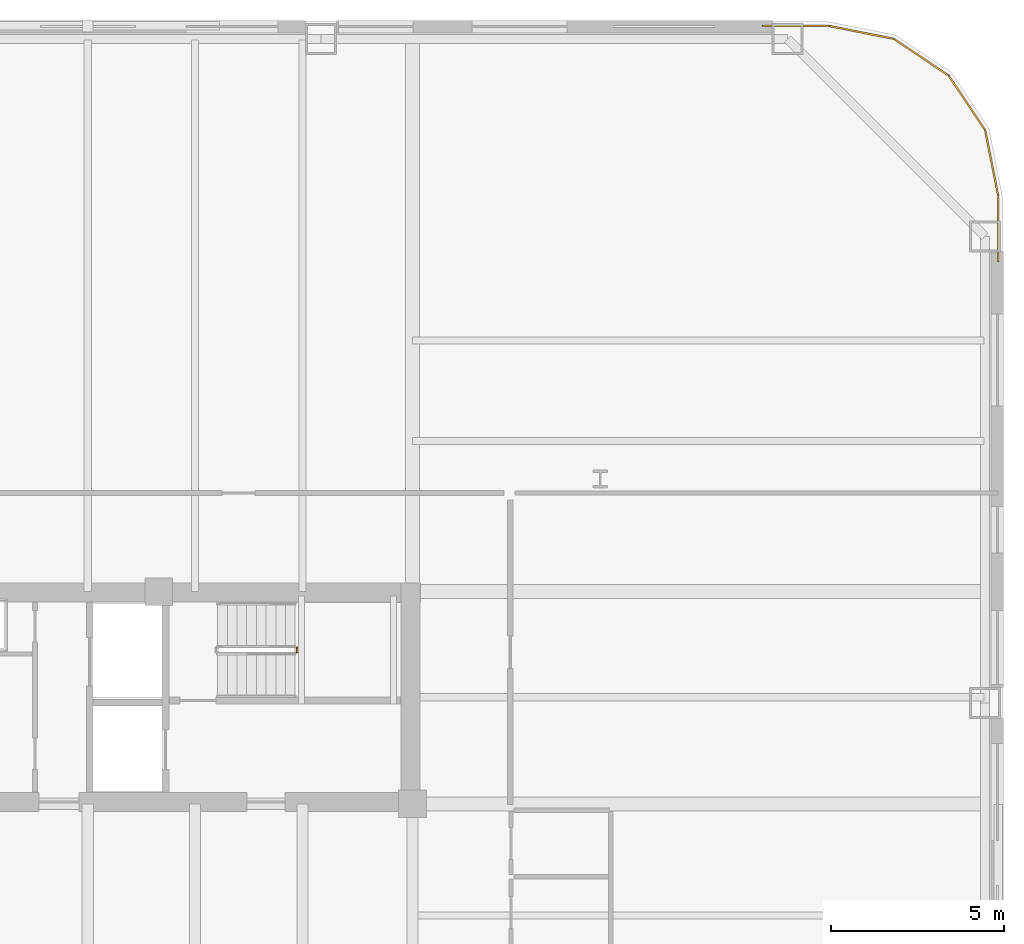
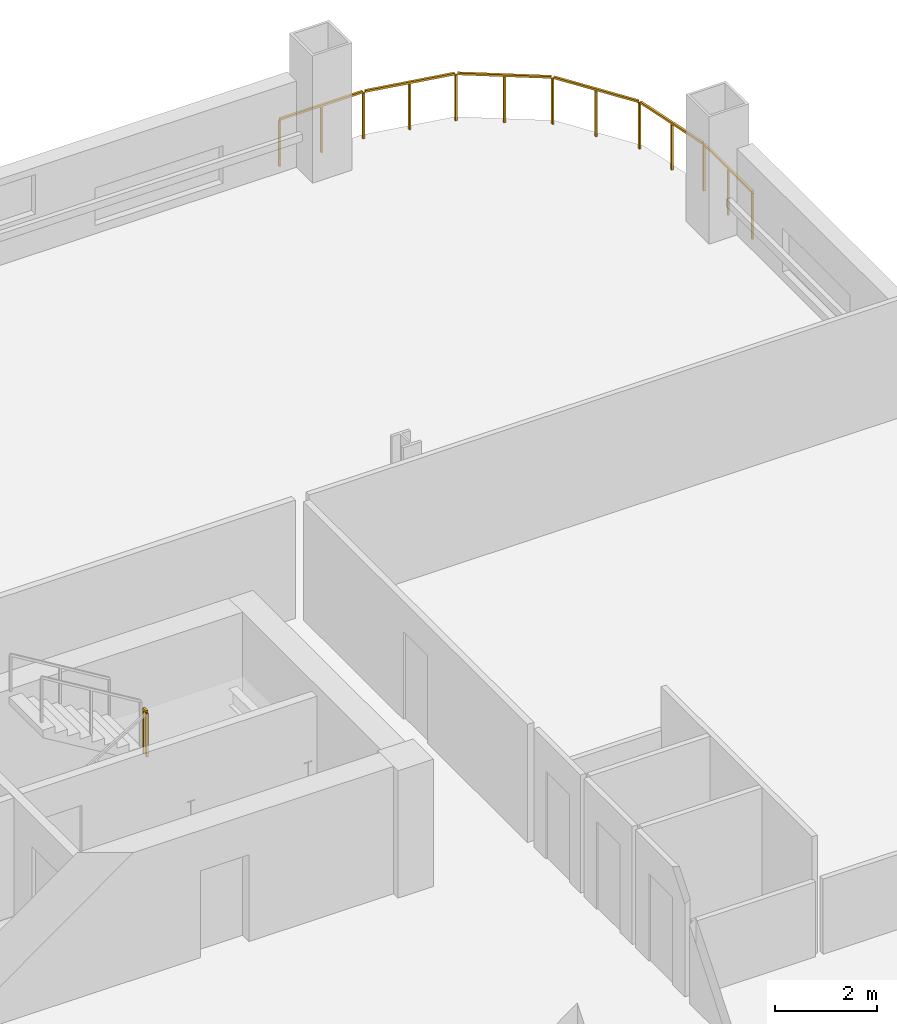
# One storey, part 11 of 11: 2 railings.
"""IFC4 building model written with IfcOpenShell, lengths in metres."""

from ifc_helpers import new_model, si_unit, direction, frame, origin, origin_2d, place, context, subcontext, project, spatial, rectangle, extrude, material, type_object, element, save


model = new_model("IFC4")

# Units and contexts
model_context = context("Model", 3, precision=1e-05, world=origin(), true_north=direction((0.0, 1.0)))
body_context = subcontext(model_context, "Body", "Model", "MODEL_VIEW")
ifc_project = project(units=[si_unit("LENGTHUNIT", "METRE"), si_unit("AREAUNIT", "SQUARE_METRE"), si_unit("VOLUMEUNIT", "CUBIC_METRE"), si_unit("PLANEANGLEUNIT", "RADIAN"), si_unit("MASSUNIT", "GRAM", prefix="KILO")], contexts=[model_context])

# Site, building, storey
site_placement = place(None, origin())
site = spatial("IfcSite", under=ifc_project, at=site_placement, CompositionType="ELEMENT")
building_placement = place(site_placement, origin())
building = spatial("IfcBuilding", under=site, at=building_placement, Name="Qhalaya Broadcast Tower", CompositionType="ELEMENT")
storey_placement = place(building_placement, frame((0.0, 0.0, 29.14990234375)))
storey = spatial("IfcBuildingStorey", under=building, at=storey_placement, Name="L07", CompositionType="ELEMENT", Elevation=29.14990234375)

# Railings
ifc_material = material(Name="Powder-Coated Galvanised Steel", Category="steel")
railing_type_1 = type_object("IfcRailingType", Name="Stair Well & Landing Guardrail 1100", PredefinedType="GUARDRAIL", material=ifc_material)
railing_1_placement = place(storey_placement, frame((6.0400390625, 8.199951171875, 1.525146484375)))
element("IfcRailing", 1, at=railing_1_placement, inside=storey, type_object=railing_type_1, Name="L07 ST-1 Stair Guard 2", PredefinedType="GUARDRAIL", context=body_context, shape_type="SweptSolid", body=[
    extrude(rectangle(XDim=0.048095703125, YDim=0.048095703125, at=origin_2d()), frame((0.0, 0.0, 1.076171875), z_axis=(0.0, 1.0, 0.0), x_axis=(-1.0, 0.0, 0.0)), (0.0, 0.0, 1.0), 0.1201171875),
    extrude(rectangle(XDim=0.0419921875, YDim=0.0419921875, at=origin_2d()), origin(), (0.0, 0.0, 1.0), 1.050048828125),
    extrude(rectangle(XDim=0.0419921875, YDim=0.0419921875, at=origin_2d()), frame((0.0, 0.1201171875, 0.0)), (0.0, 0.0, 1.0), 1.050048828125),
])
railing_type_2 = type_object("IfcRailingType", Name="Terrace, Sky-Pool & Lookout Glass Balustrade 1150", PredefinedType="BALUSTRADE", material=ifc_material)
railing_2_placement = place(storey_placement, frame((19.48193359375, 26.280029296875, 0.0)))
element("IfcRailing", 2, at=railing_2_placement, inside=storey, type_object=railing_type_2, Name="L07 Rounded Corner Perimeter Guard 04", PredefinedType="BALUSTRADE", context=body_context, shape_type="SweptSolid", body=[
    extrude(rectangle(XDim=0.048095703125, YDim=0.048095703125, at=origin_2d()), frame((0.0, 0.0, 1.1259765625), z_axis=(1.0, 0.0, 0.0), x_axis=(0.0, 1.0, 0.0)), (0.0, 0.0, 1.0), 1.87744140625),
    extrude(rectangle(XDim=0.048095703125, YDim=0.048095703125, at=origin_2d()), frame((1.9345703125, -0.005615234375, 1.1259765625), z_axis=(0.980795810058, -0.195037378397, 0.0), x_axis=(0.195037378397, 0.980795810058, 0.0)), (0.0, 0.0, 1.0), 1.857421875),
    extrude(rectangle(XDim=0.048095703125, YDim=0.048095703125, at=origin_2d()), frame((3.80859375, -0.3896484375, 1.1259765625), z_axis=(0.831477548332, -0.555558355728, 0.0), x_axis=(0.555558355728, 0.831477548332, 0.0)), (0.0, 0.0, 1.0), 1.845458984375),
    extrude(rectangle(XDim=0.048095703125, YDim=0.048095703125, at=origin_2d()), frame((5.38330078125, -1.454833984375, 1.1259765625), z_axis=(0.555558355728, -0.831477548332, 0.0), x_axis=(0.831477548332, 0.555558355728, 0.0)), (0.0, 0.0, 1.0), 1.845458984375),
    extrude(rectangle(XDim=0.048095703125, YDim=0.048095703125, at=origin_2d()), frame((6.43017578125, -3.041748046875, 1.1259765625), z_axis=(0.195037378397, -0.980795810058, 0.0), x_axis=(0.980795810058, 0.195037378397, 0.0)), (0.0, 0.0, 1.0), 1.857421875),
    extrude(rectangle(XDim=0.048095703125, YDim=0.048095703125, at=origin_2d()), frame((6.798095703125, -4.920654296875, 1.1259765625), z_axis=(0.0, -1.0, 0.0), x_axis=(1.0, 0.0, 0.0)), (0.0, 0.0, 1.0), 1.87744140625),
    extrude(rectangle(XDim=0.0419921875, YDim=0.0419921875, at=origin_2d()), origin(), (0.0, 0.0, 1.0), 1.099853515625),
    extrude(rectangle(XDim=0.0419921875, YDim=0.0419921875, at=origin_2d()), frame((0.953125, 0.0, 0.0)), (0.0, 0.0, 1.0), 1.099853515625),
    extrude(rectangle(XDim=0.0419921875, YDim=0.0419921875, at=origin_2d()), frame((1.90625, 0.0, 0.0)), (0.0, 0.0, 1.0), 1.099853515625),
    extrude(rectangle(XDim=0.0419921875, YDim=0.0419921875, at=origin_2d()), frame((2.845458984375, -0.186767578125, 0.0)), (0.0, 0.0, 1.0), 1.099853515625),
    extrude(rectangle(XDim=0.0419921875, YDim=0.0419921875, at=origin_2d()), frame((3.78466796875, -0.37353515625, 0.0)), (0.0, 0.0, 1.0), 1.099853515625),
    extrude(rectangle(XDim=0.0419921875, YDim=0.0419921875, at=origin_2d()), frame((4.575927734375, -0.90234375, 0.0)), (0.0, 0.0, 1.0), 1.099853515625),
    extrude(rectangle(XDim=0.0419921875, YDim=0.0419921875, at=origin_2d()), frame((5.3671875, -1.430908203125, 0.0)), (0.0, 0.0, 1.0), 1.099853515625),
    extrude(rectangle(XDim=0.0419921875, YDim=0.0419921875, at=origin_2d()), frame((5.89599609375, -2.22216796875, 0.0)), (0.0, 0.0, 1.0), 1.099853515625),
    extrude(rectangle(XDim=0.0419921875, YDim=0.0419921875, at=origin_2d()), frame((6.424560546875, -3.013427734375, 0.0)), (0.0, 0.0, 1.0), 1.099853515625),
    extrude(rectangle(XDim=0.0419921875, YDim=0.0419921875, at=origin_2d()), frame((6.611328125, -3.95263671875, 0.0)), (0.0, 0.0, 1.0), 1.099853515625),
    extrude(rectangle(XDim=0.0419921875, YDim=0.0419921875, at=origin_2d()), frame((6.798095703125, -4.891845703125, 0.0)), (0.0, 0.0, 1.0), 1.099853515625),
    extrude(rectangle(XDim=0.0419921875, YDim=0.0419921875, at=origin_2d()), frame((6.798095703125, -5.844970703125, 0.0)), (0.0, 0.0, 1.0), 1.099853515625),
    extrude(rectangle(XDim=0.0419921875, YDim=0.0419921875, at=origin_2d()), frame((6.798095703125, -6.798095703125, 0.0)), (0.0, 0.0, 1.0), 1.099853515625),
])

save(model, "model.ifc")
